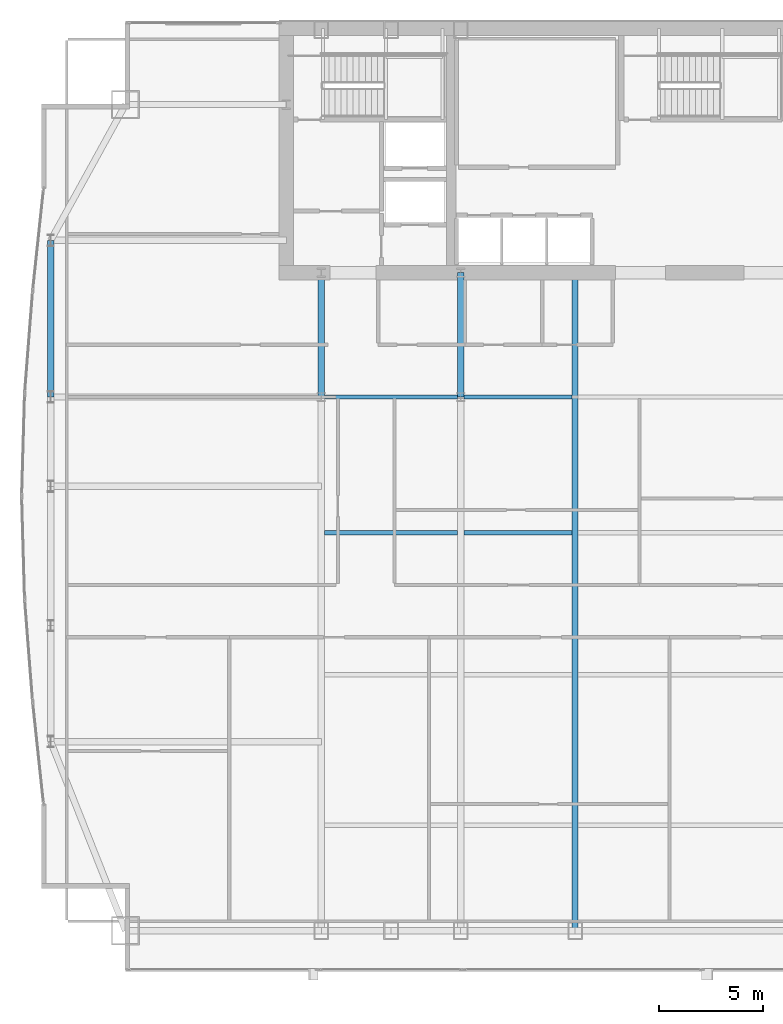
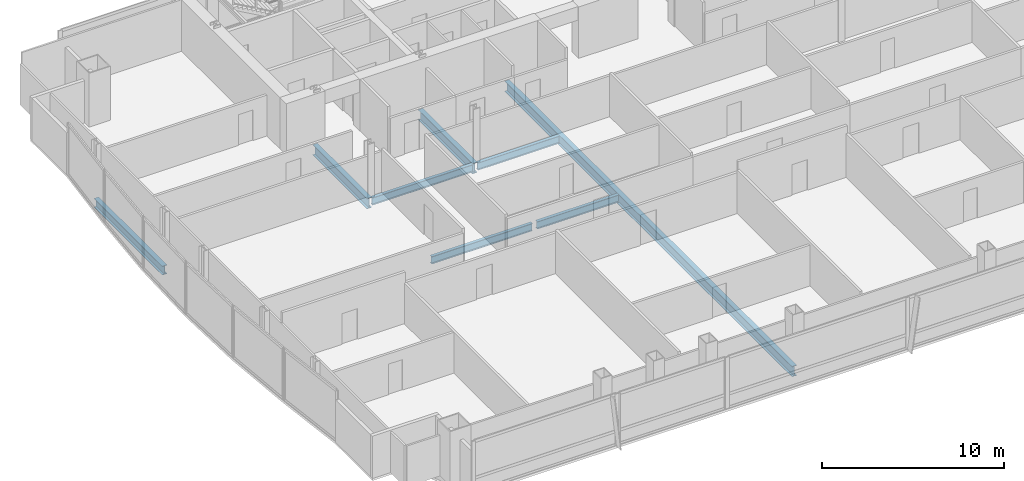
# One storey, part 12 of 29: 8 beams.
"""IFC4 building model written with IfcOpenShell, lengths in metres."""

from ifc_helpers import new_model, si_unit, direction, frame, origin, origin_2d, place, context, subcontext, project, spatial, i_section, extrude, material, material_profile, profile_set, type_object, element, save


model = new_model("IFC4")

# Units and contexts
model_context = context("Model", 3, precision=1e-05, world=origin(), true_north=direction((0.0, 1.0)))
body_context = subcontext(model_context, "Body", "Model", "MODEL_VIEW")
ifc_project = project(units=[si_unit("LENGTHUNIT", "METRE"), si_unit("AREAUNIT", "SQUARE_METRE"), si_unit("VOLUMEUNIT", "CUBIC_METRE"), si_unit("PLANEANGLEUNIT", "RADIAN"), si_unit("MASSUNIT", "GRAM", prefix="KILO")], contexts=[model_context])

# Site, building, storey
site_placement = place(None, origin())
site = spatial("IfcSite", under=ifc_project, at=site_placement, CompositionType="ELEMENT")
building_placement = place(site_placement, origin())
building = spatial("IfcBuilding", under=site, at=building_placement, Name="Khoronbel Lancet Exchange", CompositionType="ELEMENT")
storey_placement = place(building_placement, frame((0.0, 0.0, 139.800048828125)))
storey = spatial("IfcBuildingStorey", under=building, at=storey_placement, Name="L34", CompositionType="ELEMENT", Elevation=139.800048828125)

# Beams
ifc_material = material(Name="Steel S355", Category="steel")
ifc_material_profile_1 = material_profile(ifc_material, i_section(OverallWidth=0.300048828125, OverallDepth=0.699951171875, WebThickness=0.01708984375, FlangeThickness=0.031982421875, at=origin_2d()), Name="HEB 700")
ifc_profile_set_1 = profile_set([ifc_material_profile_1], Name="Steel S355")
beam_type_1 = type_object("IfcBeamType", Name="BM-BG3", PredefinedType="BEAM", material=ifc_profile_set_1)
for number, where, z_axis, x_axis, name in (
    (1, (18.22509765625, 35.699951171875, -0.510009765625), (0.0, 1.0, 0.0), (-1.0, 0.0, 0.0), "Level L34 spine tie girder GN1"),
    (2, (24.89990234375, 35.699951171875, -0.510009765625), (0.0, 1.0, 0.0), (-1.0, 0.0, 0.0), "Level L34 spine tie girder GN2"),
):
    element("IfcBeam", number, at=place(storey_placement, frame(where, z_axis=z_axis, x_axis=x_axis)), inside=storey, type_object=beam_type_1, Name=name, PredefinedType="BEAM", context=body_context, shape_type="SweptSolid", body=[
        extrude(i_section(OverallWidth=0.300048828125, OverallDepth=0.699951171875, WebThickness=0.01708984375, FlangeThickness=0.031982421875, at=origin_2d()), origin(), (0.0, 0.0, 1.0), 5.949951171875),
    ])
beam_1_placement = place(storey_placement, frame((30.375, 10.14990234375, -0.510009765625), z_axis=(0.0, 1.0, 0.0), x_axis=(-1.0, 0.0, 0.0)))
element("IfcBeam", 3, at=beam_1_placement, inside=storey, type_object=beam_type_1, Name="Level L34 primary floor girder G3", PredefinedType="BEAM", context=body_context, shape_type="SweptSolid", body=[
    extrude(i_section(OverallWidth=0.300048828125, OverallDepth=0.699951171875, WebThickness=0.01708984375, FlangeThickness=0.031982421875, at=origin_2d()), origin(), (0.0, 0.0, 1.0), 31.5),
])
ifc_material_profile_2 = material_profile(ifc_material, i_section(OverallWidth=0.199951171875, OverallDepth=0.5, WebThickness=0.01025390625, FlangeThickness=0.01611328125, at=origin_2d()), Name="IPE 500")
ifc_profile_set_2 = profile_set([ifc_material_profile_2], Name="Steel S355")
beam_type_2 = type_object("IfcBeamType", Name="BM-BJ3", PredefinedType="JOIST", material=ifc_profile_set_2)
beam_2_placement = place(storey_placement, frame((18.375, 29.199951171875, -0.41015625), z_axis=(1.0, 0.0, 0.0), x_axis=(0.0, 1.0, 0.0)))
element("IfcBeam", 4, at=beam_2_placement, inside=storey, type_object=beam_type_2, Name="Level L34 secondary composite joist J11", PredefinedType="JOIST", context=body_context, shape_type="SweptSolid", body=[
    extrude(i_section(OverallWidth=0.199951171875, OverallDepth=0.5, WebThickness=0.01025390625, FlangeThickness=0.01611328125, at=origin_2d()), origin(), (0.0, 0.0, 1.0), 6.375),
])
beam_3_placement = place(storey_placement, frame((25.050048828125, 29.199951171875, -0.41015625), z_axis=(1.0, 0.0, 0.0), x_axis=(0.0, 1.0, 0.0)))
element("IfcBeam", 5, at=beam_3_placement, inside=storey, type_object=beam_type_2, Name="Level L34 secondary composite joist J12", PredefinedType="JOIST", context=body_context, shape_type="SweptSolid", body=[
    extrude(i_section(OverallWidth=0.199951171875, OverallDepth=0.5, WebThickness=0.01025390625, FlangeThickness=0.01611328125, at=origin_2d()), origin(), (0.0, 0.0, 1.0), 5.175048828125),
])
beam_4_placement = place(storey_placement, frame((18.375, 35.699951171875, -0.41015625), z_axis=(1.0, 0.0, 0.0), x_axis=(0.0, 1.0, 0.0)))
element("IfcBeam", 6, at=beam_4_placement, inside=storey, type_object=beam_type_2, Name="Level L34 secondary composite joist J16", PredefinedType="JOIST", context=body_context, shape_type="SweptSolid", body=[
    extrude(i_section(OverallWidth=0.199951171875, OverallDepth=0.5, WebThickness=0.01025390625, FlangeThickness=0.01611328125, at=origin_2d()), origin(), (0.0, 0.0, 1.0), 6.375),
])
beam_5_placement = place(storey_placement, frame((25.050048828125, 35.699951171875, -0.41015625), z_axis=(1.0, 0.0, 0.0), x_axis=(0.0, 1.0, 0.0)))
element("IfcBeam", 7, at=beam_5_placement, inside=storey, type_object=beam_type_2, Name="Level L34 secondary composite joist J17", PredefinedType="JOIST", context=body_context, shape_type="SweptSolid", body=[
    extrude(i_section(OverallWidth=0.199951171875, OverallDepth=0.5, WebThickness=0.01025390625, FlangeThickness=0.01611328125, at=origin_2d()), origin(), (0.0, 0.0, 1.0), 5.175048828125),
])
ifc_material_profile_3 = material_profile(ifc_material, i_section(OverallWidth=0.300048828125, OverallDepth=0.60009765625, WebThickness=0.015380859375, FlangeThickness=0.030029296875, at=origin_2d()), Name="HEB 600")
ifc_profile_set_3 = profile_set([ifc_material_profile_3], Name="Steel S355")
beam_type_3 = type_object("IfcBeamType", Name="BM-BSP2", PredefinedType="SPANDREL", material=ifc_profile_set_3)
beam_6_placement = place(storey_placement, frame((5.27001953125, 43.199951171875, -0.4599609375), z_axis=(0.0, -1.0, 0.0), x_axis=(1.0, 0.0, 0.0)))
element("IfcBeam", 8, at=beam_6_placement, inside=storey, type_object=beam_type_3, Name="Level L34 perimeter spandrel beam SP17", PredefinedType="SPANDREL", context=body_context, shape_type="SweptSolid", body=[
    extrude(i_section(OverallWidth=0.300048828125, OverallDepth=0.60009765625, WebThickness=0.015380859375, FlangeThickness=0.030029296875, at=origin_2d()), origin(), (0.0, 0.0, 1.0), 7.5),
])

save(model, "model.ifc")
